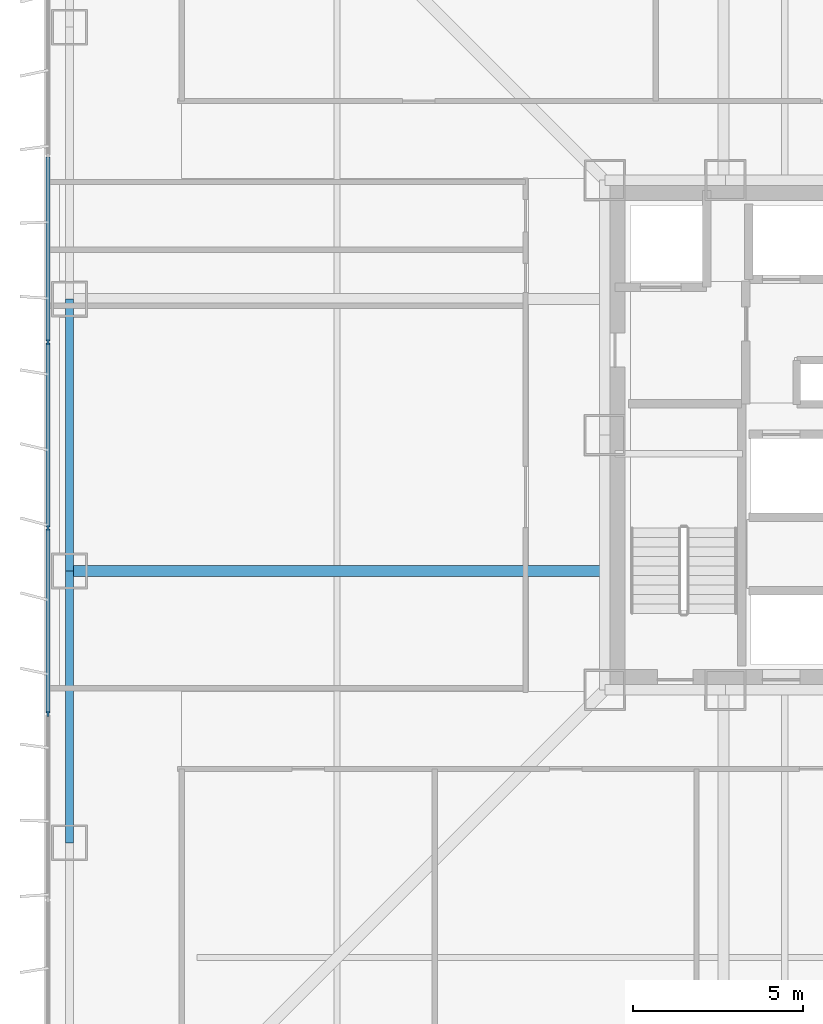
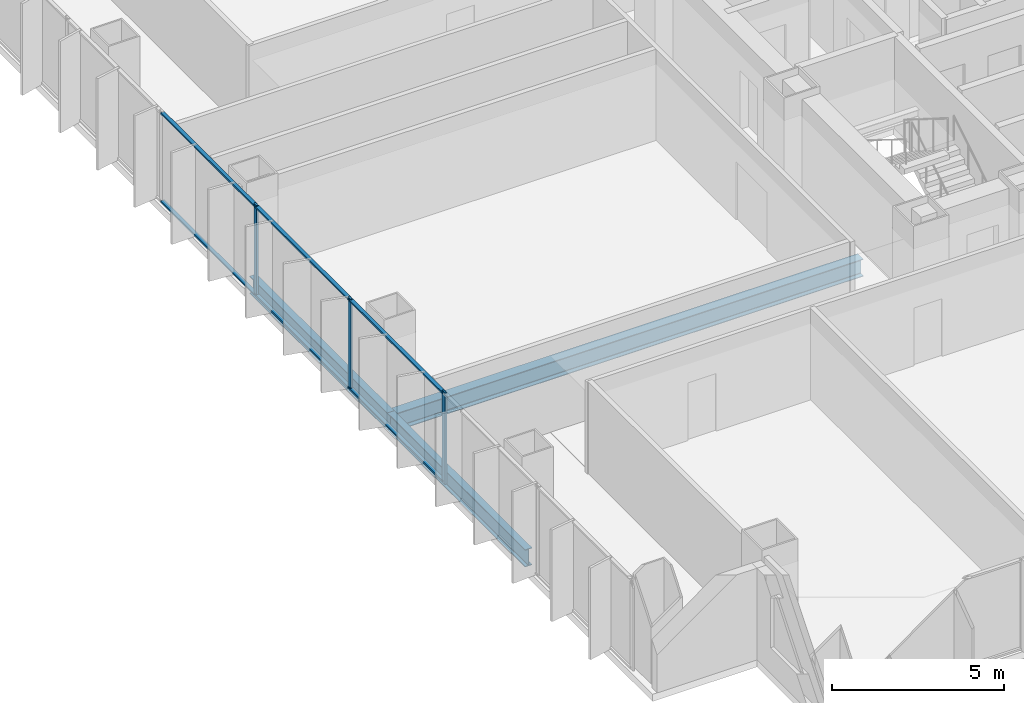
# One storey, part 4 of 21: 9 members, 3 beams, 1 element without a shape of its own.
"""IFC4 building model written with IfcOpenShell, lengths in metres."""

from ifc_helpers import new_model, si_unit, direction, frame, origin, origin_2d, place, context, subcontext, project, spatial, rectangle, i_section, extrude, material, layer, layer_set, material_profile, profile_set, type_object, element, aggregate, save


model = new_model("IFC4")

# Units and contexts
model_context = context("Model", 3, precision=1e-05, world=origin(), true_north=direction((0.0, 1.0)))
body_context = subcontext(model_context, "Body", "Model", "MODEL_VIEW")
ifc_project = project(units=[si_unit("LENGTHUNIT", "METRE"), si_unit("AREAUNIT", "SQUARE_METRE"), si_unit("VOLUMEUNIT", "CUBIC_METRE"), si_unit("PLANEANGLEUNIT", "RADIAN"), si_unit("MASSUNIT", "GRAM", prefix="KILO")], contexts=[model_context])

# Site, building, storey
site_placement = place(None, origin())
site = spatial("IfcSite", under=ifc_project, at=site_placement, CompositionType="ELEMENT")
building_placement = place(site_placement, origin())
building = spatial("IfcBuilding", under=site, at=building_placement, Name="Trevonay Congress Spire", CompositionType="ELEMENT")
storey_placement = place(building_placement, frame((0.0, 0.0, 37.5)))
storey = spatial("IfcBuildingStorey", under=building, at=storey_placement, Name="L08", CompositionType="ELEMENT", Elevation=37.5)

# Beams
ifc_material_1 = material(Name="Steel ASTM A572 Grade 50", Category="steel")
ifc_material_profile_1 = material_profile(ifc_material_1, i_section(OverallWidth=0.324951171875, OverallDepth=0.615966796875, WebThickness=0.013916015625, FlangeThickness=0.021484375, FilletRadius=0.01806640625, at=origin_2d()), Name="W610x174")
ifc_profile_set_1 = profile_set([ifc_material_profile_1], Name="Steel ASTM A572 Grade 50")
beam_type_1 = type_object("IfcBeamType", Name="BM-GIRD-W610X174", PredefinedType="BEAM", material=ifc_profile_set_1)
beam_placement = place(storey_placement, frame((-7.5, -4.0, -0.55810546875), z_axis=(-1.0, 0.0, 0.0), x_axis=(0.0, -1.0, 0.0)))
element("IfcBeam", 1, at=beam_placement, inside=storey, type_object=beam_type_1, Name="L08 structural beam BM-L08-GW-M", PredefinedType="BEAM", context=body_context, shape_type="SweptSolid", body=[
    extrude(i_section(OverallWidth=0.324951171875, OverallDepth=0.615966796875, WebThickness=0.013916015625, FlangeThickness=0.021484375, FilletRadius=0.01806640625, at=origin_2d()), origin(), (0.0, 0.0, 1.0), 15.75),
])
ifc_material_profile_2 = material_profile(ifc_material_1, i_section(OverallWidth=0.22998046875, OverallDepth=0.616943359375, WebThickness=0.01318359375, FlangeThickness=0.022216796875, FilletRadius=0.01611328125, at=origin_2d()), Name="W610x140")
ifc_profile_set_2 = profile_set([ifc_material_profile_2], Name="Steel ASTM A572 Grade 50")
beam_type_2 = type_object("IfcBeamType", Name="BM-RING-W610X140", PredefinedType="BEAM", material=ifc_profile_set_2)
for number, where, z_axis, x_axis, name in (
    (2, (-23.25, -12.0, -0.55859375), (0.0, 1.0, 0.0), (-1.0, 0.0, 0.0), "L08 structural beam BM-L08-PW2"),
    (3, (-23.25, -4.0, -0.55859375), (0.0, 1.0, 0.0), (-1.0, 0.0, 0.0), "L08 structural beam BM-L08-PW3"),
):
    element("IfcBeam", number, at=place(storey_placement, frame(where, z_axis=z_axis, x_axis=x_axis)), inside=storey, type_object=beam_type_2, Name=name, PredefinedType="BEAM", context=body_context, shape_type="SweptSolid", body=[
        extrude(i_section(OverallWidth=0.22998046875, OverallDepth=0.616943359375, WebThickness=0.01318359375, FlangeThickness=0.022216796875, FilletRadius=0.01611328125, at=origin_2d()), origin(), (0.0, 0.0, 1.0), 8.0),
    ])

# Curtain wall, members
ifc_material_2 = material(Name="Pale Anodised Aluminium EN AW-6063-T6", Category="aluminium")
ifc_layer = layer(ifc_material_2, 0.179931640625, Name="Pale Anodised Aluminium EN AW-6063-T6")
ifc_layer_set = layer_set([ifc_layer], Name="Pale Anodised Aluminium EN AW-6063-T6")
curtain_wall_type = type_object("IfcCurtainWallType", Name="CW-SYS02-HOTEL-PALE-METAL", PredefinedType="NOTDEFINED", material=ifc_layer_set)
curtain_wall_placement = place(storey_placement, origin())
curtain_wall = element("IfcCurtainWall", 4, at=curtain_wall_placement, inside=storey, type_object=curtain_wall_type, Name="L08 W unitised curtain wall", PredefinedType="NOTDEFINED")
ifc_material_profile_3 = material_profile(ifc_material_2, rectangle(XDim=0.06005859375, YDim=0.159912109375, at=origin_2d()), Name="CW-MULLION-160-ALUMINIUM")
ifc_profile_set_3 = profile_set([ifc_material_profile_3], Name="Pale Anodised Aluminium EN AW-6063-T6")
member_type_1 = type_object("IfcMemberType", Name="CW-MULLION-160-ALUMINIUM", PredefinedType="MULLION", material=ifc_profile_set_3)
member_1_placement = place(storey_placement, frame((-23.8798828125, -8.20703125, 0.0), z_axis=(0.0, 0.0, 1.0), x_axis=(-1.0, 0.0, 0.0)))
member_1 = element("IfcMember", 5, at=member_1_placement, type_object=member_type_1, Name="CW02 mullion 3", PredefinedType="MULLION", context=body_context, shape_type="SweptSolid", body=[
    extrude(rectangle(XDim=0.06005859375, YDim=0.159912109375, at=origin_2d()), origin(), (0.0, 0.0, 1.0), 3.25),
])
member_2_placement = place(storey_placement, frame((-23.8798828125, -2.735595703125, 0.0), z_axis=(0.0, 0.0, 1.0), x_axis=(-1.0, 0.0, 0.0)))
member_2 = element("IfcMember", 6, at=member_2_placement, type_object=member_type_1, Name="CW02 mullion 4", PredefinedType="MULLION", context=body_context, shape_type="SweptSolid", body=[
    extrude(rectangle(XDim=0.06005859375, YDim=0.159912109375, at=origin_2d()), origin(), (0.0, 0.0, 1.0), 3.25),
])
member_3_placement = place(storey_placement, frame((-23.8798828125, 2.735595703125, 0.0), z_axis=(0.0, 0.0, 1.0), x_axis=(-1.0, 0.0, 0.0)))
member_3 = element("IfcMember", 7, at=member_3_placement, type_object=member_type_1, Name="CW02 mullion 5", PredefinedType="MULLION", context=body_context, shape_type="SweptSolid", body=[
    extrude(rectangle(XDim=0.06005859375, YDim=0.159912109375, at=origin_2d()), origin(), (0.0, 0.0, 1.0), 3.25),
])
ifc_material_profile_4 = material_profile(ifc_material_2, rectangle(XDim=0.1201171875, YDim=0.06005859375, at=origin_2d()), Name="CW-TRANSOM-120-ALUMINIUM")
ifc_profile_set_4 = profile_set([ifc_material_profile_4], Name="Pale Anodised Aluminium EN AW-6063-T6")
member_type_2 = type_object("IfcMemberType", Name="CW-TRANSOM-120-ALUMINIUM", PredefinedType="USERDEFINED", material=ifc_profile_set_4)
member_4_placement = place(storey_placement, frame((-23.8798828125, -8.17724609375, 0.06005859375), z_axis=(0.0, 1.0, 0.0), x_axis=(-1.0, 0.0, 0.0)))
member_4 = element("IfcMember", 8, at=member_4_placement, type_object=member_type_2, Name="CW02 transom 3.1", ObjectType="TRANSOM", PredefinedType="USERDEFINED", context=body_context, shape_type="SweptSolid", body=[
    extrude(rectangle(XDim=0.1201171875, YDim=0.06005859375, at=origin_2d()), origin(), (0.0, 0.0, 1.0), 5.41162109375),
])
member_5_placement = place(storey_placement, frame((-23.8798828125, -8.17724609375, 3.18994140625), z_axis=(0.0, 1.0, 0.0), x_axis=(-1.0, 0.0, 0.0)))
member_5 = element("IfcMember", 9, at=member_5_placement, type_object=member_type_2, Name="CW02 transom 3.2", ObjectType="TRANSOM", PredefinedType="USERDEFINED", context=body_context, shape_type="SweptSolid", body=[
    extrude(rectangle(XDim=0.1201171875, YDim=0.06005859375, at=origin_2d()), origin(), (0.0, 0.0, 1.0), 5.41162109375),
])
member_6_placement = place(storey_placement, frame((-23.8798828125, -2.705810546875, 0.06005859375), z_axis=(0.0, 1.0, 0.0), x_axis=(-1.0, 0.0, 0.0)))
member_6 = element("IfcMember", 10, at=member_6_placement, type_object=member_type_2, Name="CW02 transom 4.1", ObjectType="TRANSOM", PredefinedType="USERDEFINED", context=body_context, shape_type="SweptSolid", body=[
    extrude(rectangle(XDim=0.1201171875, YDim=0.06005859375, at=origin_2d()), origin(), (0.0, 0.0, 1.0), 5.41162109375),
])
member_7_placement = place(storey_placement, frame((-23.8798828125, -2.705810546875, 3.18994140625), z_axis=(0.0, 1.0, 0.0), x_axis=(-1.0, 0.0, 0.0)))
member_7 = element("IfcMember", 11, at=member_7_placement, type_object=member_type_2, Name="CW02 transom 4.2", ObjectType="TRANSOM", PredefinedType="USERDEFINED", context=body_context, shape_type="SweptSolid", body=[
    extrude(rectangle(XDim=0.1201171875, YDim=0.06005859375, at=origin_2d()), origin(), (0.0, 0.0, 1.0), 5.41162109375),
])
member_8_placement = place(storey_placement, frame((-23.8798828125, 2.765625, 0.06005859375), z_axis=(0.0, 1.0, 0.0), x_axis=(-1.0, 0.0, 0.0)))
member_8 = element("IfcMember", 12, at=member_8_placement, type_object=member_type_2, Name="CW02 transom 5.1", ObjectType="TRANSOM", PredefinedType="USERDEFINED", context=body_context, shape_type="SweptSolid", body=[
    extrude(rectangle(XDim=0.1201171875, YDim=0.06005859375, at=origin_2d()), origin(), (0.0, 0.0, 1.0), 5.41162109375),
])
member_9_placement = place(storey_placement, frame((-23.8798828125, 2.765625, 3.18994140625), z_axis=(0.0, 1.0, 0.0), x_axis=(-1.0, 0.0, 0.0)))
member_9 = element("IfcMember", 13, at=member_9_placement, type_object=member_type_2, Name="CW02 transom 5.2", ObjectType="TRANSOM", PredefinedType="USERDEFINED", context=body_context, shape_type="SweptSolid", body=[
    extrude(rectangle(XDim=0.1201171875, YDim=0.06005859375, at=origin_2d()), origin(), (0.0, 0.0, 1.0), 5.41162109375),
])
aggregate(curtain_wall, [member_1, member_2, member_3, member_4, member_5, member_6, member_7, member_8, member_9])

save(model, "model.ifc")
